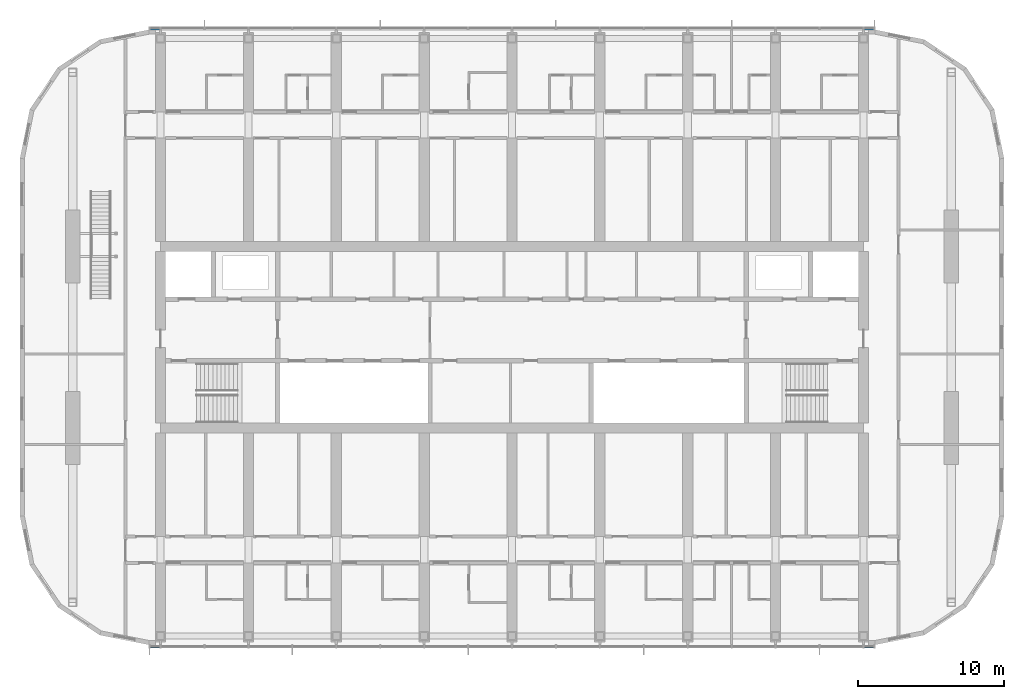
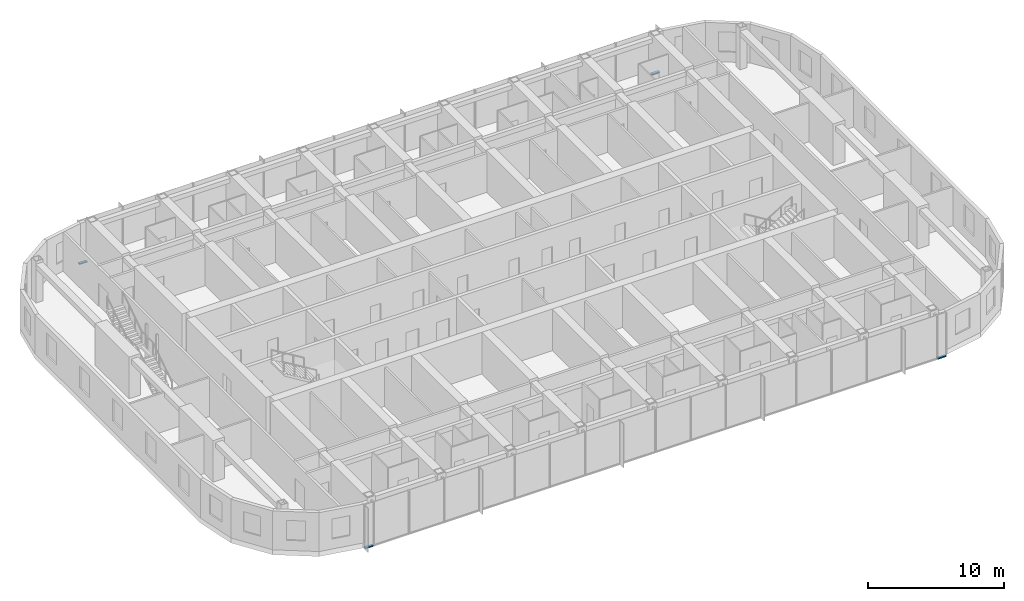
# One storey, part 8 of 28: 4 members, 2 elements without a shape of their own.
"""IFC4 building model written with IfcOpenShell, lengths in metres."""

import ifcopenshell
import ifcopenshell.guid

model = None  # the IFC model being written
_history = None  # IfcOwnerHistory: only IFC2X3 demands one
_inside = {}  # id of a spatial element -> (the spatial element, [elements in it])
_under = {}  # id of a project, library or spatial element -> (it, [spatial elements below it])
_declared = {}  # id of a project -> (the project, [libraries it declares])
_typed = {}  # id of a type object -> (the type object, [elements of that type])
_made_of = {}  # id of a material, layer set ... -> (it, [elements and type objects made of it])


def new_model(schema):
    """Start an empty IFC model of exactly this schema.

    Asked for "IFC4X3", IfcOpenShell would pick the latest addendum, in which some entities
    have other attributes; the version numbers below select the first issue.
    IFC2X3 requires an IfcOwnerHistory on every rooted entity: one is made here for all.
    """
    global model, _history
    if schema == "IFC4X3":
        model = ifcopenshell.file(schema_version=(4, 3, 0, 0))
    else:
        model = ifcopenshell.file(schema=schema)
    _inside.clear()
    _under.clear()
    _declared.clear()
    _typed.clear()
    _made_of.clear()
    _history = None
    if model.schema == "IFC2X3":
        org = make("IfcOrganization", Name="unknown")
        user = make(
            "IfcPersonAndOrganization",
            ThePerson=make("IfcPerson", FamilyName="unknown"),
            TheOrganization=org,
        )
        app = make(
            "IfcApplication",
            ApplicationDeveloper=org,
            Version="unknown",
            ApplicationFullName="unknown",
            ApplicationIdentifier="unknown",
        )
        _history = make(
            "IfcOwnerHistory",
            OwningUser=user,
            OwningApplication=app,
            ChangeAction="ADDED",
            CreationDate=0,
        )
    return model


def make(cls, **values):
    """One entity of the class cls with the attributes given. An attribute that is None is left unset."""
    return model.create_entity(
        cls, **{name: value for name, value in values.items() if value is not None}
    )


def rooted(cls, **values):
    """An entity with a GlobalId (a new one), such as an element, a storey or a relation."""
    return make(cls, GlobalId=ifcopenshell.guid.new(), OwnerHistory=_history, **values)


def si_unit(unit_type, name, prefix=None):
    """IfcSIUnit, for example si_unit("LENGTHUNIT", "METRE", prefix="MILLI")."""
    return make("IfcSIUnit", UnitType=unit_type, Prefix=prefix, Name=name)


def assignment(units):
    """IfcUnitAssignment: the units of a project."""
    return None if units is None else make("IfcUnitAssignment", Units=units)


def point(xyz):
    """IfcCartesianPoint."""
    return None if xyz is None else make("IfcCartesianPoint", Coordinates=xyz)


def direction(xyz):
    """IfcDirection."""
    return None if xyz is None else make("IfcDirection", DirectionRatios=xyz)


def frame(location, z_axis=None, x_axis=None):
    """IfcAxis2Placement3D, a coordinate frame: its origin and axes. An axis left out is left unset."""
    return make(
        "IfcAxis2Placement3D",
        Location=point(location),
        Axis=direction(z_axis),
        RefDirection=direction(x_axis),
    )


def frame_2d(location, x_axis=None):
    """IfcAxis2Placement2D, a coordinate frame in the plane: its origin and x axis."""
    return make(
        "IfcAxis2Placement2D", Location=point(location), RefDirection=direction(x_axis)
    )


def origin():
    """The frame at (0, 0, 0) with its axes left unset."""
    return frame((0.0, 0.0, 0.0))


def origin_2d():
    """The frame at (0, 0) in the plane with its x axis left unset."""
    return frame_2d((0.0, 0.0))


def place(relative_to, where):
    """IfcLocalPlacement: puts the frame where relative to a parent placement (None: the world)."""
    return make(
        "IfcLocalPlacement", PlacementRelTo=relative_to, RelativePlacement=where
    )


def context(
    kind, dimensions, precision=None, world=None, true_north=None, identifier=None
):
    """IfcGeometricRepresentationContext, for example the 3D "Model" context."""
    return make(
        "IfcGeometricRepresentationContext",
        ContextIdentifier=identifier,
        ContextType=kind,
        CoordinateSpaceDimension=dimensions,
        Precision=precision,
        WorldCoordinateSystem=world,
        TrueNorth=true_north,
    )


def subcontext(parent, identifier, kind, view, scale=None):
    """IfcGeometricRepresentationSubContext, for example "Body" below "Model"."""
    return make(
        "IfcGeometricRepresentationSubContext",
        ContextIdentifier=identifier,
        ContextType=kind,
        ParentContext=parent,
        TargetScale=scale,
        TargetView=view,
    )


def project(units=None, contexts=None):
    """IfcProject with its units and contexts."""
    return rooted(
        "IfcProject",
        Name="project",
        RepresentationContexts=contexts,
        UnitsInContext=assignment(units),
    )


def spatial(cls, under=None, at=None, **own):
    """A site, building, storey or space (cls), placed at a placement, below another one or the project."""
    s = rooted(cls, ObjectPlacement=at, **own)
    if under is not None:
        _under.setdefault(under.id(), (under, []))[1].append(s)
    return s


def profile(cls, at=None, kind="AREA", **sizes):
    """A parametric profile (cls). Its sizes go by their IFC names, for example OverallWidth=200.0."""
    return make(cls, ProfileType=kind, Position=at, **sizes)


def rectangle(**sizes):
    """IfcRectangleProfileDef."""
    return profile("IfcRectangleProfileDef", **sizes)


def extrude(swept, where, along, depth):
    """IfcExtrudedAreaSolid: the profile swept, set in the frame where, extruded along a direction by depth."""
    return make(
        "IfcExtrudedAreaSolid",
        SweptArea=swept,
        Position=where,
        ExtrudedDirection=direction(along),
        Depth=depth,
    )


def shape(context_of_items, identifier, shape_type, items):
    """IfcShapeRepresentation: the items that make up one representation, for example the "Body"."""
    return make(
        "IfcShapeRepresentation",
        ContextOfItems=context_of_items,
        RepresentationIdentifier=identifier,
        RepresentationType=shape_type,
        Items=items,
    )


def material(Name=None, Category=None):
    """IfcMaterial."""
    return make("IfcMaterial", Name=Name, Category=Category)


def material_profile(
    of_material, cross_section, Name=None, Category=None, Priority=None
):
    """IfcMaterialProfile: a cross section and its material."""
    return make(
        "IfcMaterialProfile",
        Name=Name,
        Material=of_material,
        Profile=cross_section,
        Priority=Priority,
        Category=Category,
    )


def profile_set(profiles, Name=None, composite=None):
    """IfcMaterialProfileSet."""
    return make(
        "IfcMaterialProfileSet",
        Name=Name,
        MaterialProfiles=profiles,
        CompositeProfile=composite,
    )


def made_of(thing, what):
    """Note that an element or type object is made of a material, layer set ...; save() writes the relation."""
    if what is not None:
        _made_of.setdefault(what.id(), (what, []))[1].append(thing)
    return thing


def type_object(cls, material=None, **own):
    """A type object (cls), such as IfcWallType, which elements share."""
    return made_of(rooted(cls, **own), material)


def element(
    cls,
    number,
    at=None,
    inside=None,
    cuts=None,
    type_object=None,
    material=None,
    context=None,
    identifier="Body",
    shape_type=None,
    held_by="IfcProductDefinitionShape",
    body=None,
    shapes=None,
    **own,
):
    """One element of the class cls, such as IfcWall. Its Tag is "e" and its number.

    at: its placement. inside: the storey or other place that contains it. cuts: it is an
    opening in that element (IfcRelVoidsElement). A single representation is given by context,
    identifier, shape_type and body (its items); several are given by shapes. held_by: the class
    of the entity that holds the representations. save() writes the other relations.
    """
    e = rooted(cls, Tag="e%d" % number, ObjectPlacement=at, **own)
    if body is not None:
        shapes = [shape(context, identifier, shape_type, body)]
    if shapes is not None:
        e.Representation = make(held_by, Representations=shapes)
    if inside is not None:
        _inside.setdefault(inside.id(), (inside, []))[1].append(e)
    if cuts is not None:
        rooted(
            "IfcRelVoidsElement", RelatingBuildingElement=cuts, RelatedOpeningElement=e
        )
    if type_object is not None:
        _typed.setdefault(type_object.id(), (type_object, []))[1].append(e)
    return made_of(e, material)


def aggregate(whole, parts):
    """IfcRelAggregates: a whole, such as a stair, and the parts it consists of."""
    return rooted("IfcRelAggregates", RelatingObject=whole, RelatedObjects=parts)


def save(model, path):
    """Write the relations noted so far, then the file.

    IfcRelAggregates (storeys below a building ...), IfcRelContainedInSpatialStructure (elements
    in a storey), IfcRelDefinesByType, IfcRelAssociatesMaterial and IfcRelDeclares: one each for
    every whole, place, type object, material and project.
    """
    for whole, parts in _under.values():
        aggregate(whole, parts)
    for where, things in _inside.values():
        rooted(
            "IfcRelContainedInSpatialStructure",
            RelatedElements=things,
            RelatingStructure=where,
        )
    for kind, things in _typed.values():
        rooted("IfcRelDefinesByType", RelatedObjects=things, RelatingType=kind)
    for what, things in _made_of.values():
        rooted("IfcRelAssociatesMaterial", RelatedObjects=things, RelatingMaterial=what)
    for by, libraries in _declared.values():
        rooted("IfcRelDeclares", RelatingContext=by, RelatedDefinitions=libraries)
    model.write(path)


model = new_model("IFC4")

# Units and contexts
model_context = context("Model", 3, precision=1e-05, world=origin(), true_north=direction((0.0, 1.0)))
body_context = subcontext(model_context, "Body", "Model", "MODEL_VIEW")
ifc_project = project(units=[si_unit("LENGTHUNIT", "METRE"), si_unit("AREAUNIT", "SQUARE_METRE"), si_unit("VOLUMEUNIT", "CUBIC_METRE"), si_unit("PLANEANGLEUNIT", "RADIAN"), si_unit("MASSUNIT", "GRAM", prefix="KILO")], contexts=[model_context])

# Site, building, storey
site_placement = place(None, origin())
site = spatial("IfcSite", under=ifc_project, at=site_placement, CompositionType="ELEMENT")
building_placement = place(site_placement, origin())
building = spatial("IfcBuilding", under=site, at=building_placement, Name="Orbita Commons", CompositionType="ELEMENT")
storey_placement = place(building_placement, frame((0.0, 0.0, 216.550048828125)))
storey = spatial("IfcBuildingStorey", under=building, at=storey_placement, Name="L53", CompositionType="ELEMENT", Elevation=216.550048828125)

# Curtain wall, members
ifc_material_1 = material(Name="Anodised aluminium frame, pale silver", Category="aluminium")
curtain_wall_type = type_object("IfcCurtainWallType", Name="Unitised curtain wall CW-U, full-height vision", PredefinedType="NOTDEFINED", material=ifc_material_1)
curtain_wall_1_placement = place(storey_placement, origin())
curtain_wall_1 = element("IfcCurtainWall", 1, at=curtain_wall_1_placement, inside=storey, type_object=curtain_wall_type, Name="Curtain wall south L53", PredefinedType="NOTDEFINED")
ifc_material_2 = material(Name="Anodised aluminium, pale silver", Category="aluminium")
ifc_material_profile = material_profile(ifc_material_2, rectangle(XDim=0.219970703125, YDim=0.10009765625, at=origin_2d()), Name="AL 220x100")
ifc_profile_set = profile_set([ifc_material_profile], Name="Anodised aluminium, pale silver")
member_type = type_object("IfcMemberType", Name="Curtain wall stack transom 220x100", PredefinedType="USERDEFINED", material=ifc_profile_set)
member_1_placement = place(storey_placement, frame((17.280029296875, 10.889892578125, -0.400146484375), z_axis=(1.0, 0.0, 0.0), x_axis=(0.0, 1.0, 0.0)))
member_1 = element("IfcMember", 2, at=member_1_placement, type_object=member_type, Name="Transom 1.1 CW-L53-S", ObjectType="TRANSOM", PredefinedType="USERDEFINED", context=body_context, shape_type="SweptSolid", body=[
    extrude(rectangle(XDim=0.219970703125, YDim=0.10009765625, at=origin_2d()), origin(), (0.0, 0.0, 1.0), 0.679931640625),
])
member_2_placement = place(storey_placement, frame((66.0400390625, 10.889892578125, -0.400146484375), z_axis=(1.0, 0.0, 0.0), x_axis=(0.0, 1.0, 0.0)))
member_2 = element("IfcMember", 3, at=member_2_placement, type_object=member_type, Name="Transom 18.1 CW-L53-S", ObjectType="TRANSOM", PredefinedType="USERDEFINED", context=body_context, shape_type="SweptSolid", body=[
    extrude(rectangle(XDim=0.219970703125, YDim=0.10009765625, at=origin_2d()), origin(), (0.0, 0.0, 1.0), 0.679931640625),
])
aggregate(curtain_wall_1, [member_1, member_2])

curtain_wall_2_placement = place(storey_placement, origin())
curtain_wall_2 = element("IfcCurtainWall", 4, at=curtain_wall_2_placement, inside=storey, type_object=curtain_wall_type, Name="Curtain wall north L53", PredefinedType="NOTDEFINED")
member_3_placement = place(storey_placement, frame((66.719970703125, 53.110107421875, -0.400146484375), z_axis=(-1.0, 0.0, 0.0), x_axis=(0.0, -1.0, 0.0)))
member_3 = element("IfcMember", 5, at=member_3_placement, type_object=member_type, Name="Transom 1.1 CW-L53-N", ObjectType="TRANSOM", PredefinedType="USERDEFINED", context=body_context, shape_type="SweptSolid", body=[
    extrude(rectangle(XDim=0.219970703125, YDim=0.10009765625, at=origin_2d()), origin(), (0.0, 0.0, 1.0), 0.679931640625),
])
member_4_placement = place(storey_placement, frame((17.9599609375, 53.110107421875, -0.400146484375), z_axis=(-1.0, 0.0, 0.0), x_axis=(0.0, -1.0, 0.0)))
member_4 = element("IfcMember", 6, at=member_4_placement, type_object=member_type, Name="Transom 18.1 CW-L53-N", ObjectType="TRANSOM", PredefinedType="USERDEFINED", context=body_context, shape_type="SweptSolid", body=[
    extrude(rectangle(XDim=0.219970703125, YDim=0.10009765625, at=origin_2d()), origin(), (0.0, 0.0, 1.0), 0.679931640625),
])
aggregate(curtain_wall_2, [member_3, member_4])

save(model, "model.ifc")
